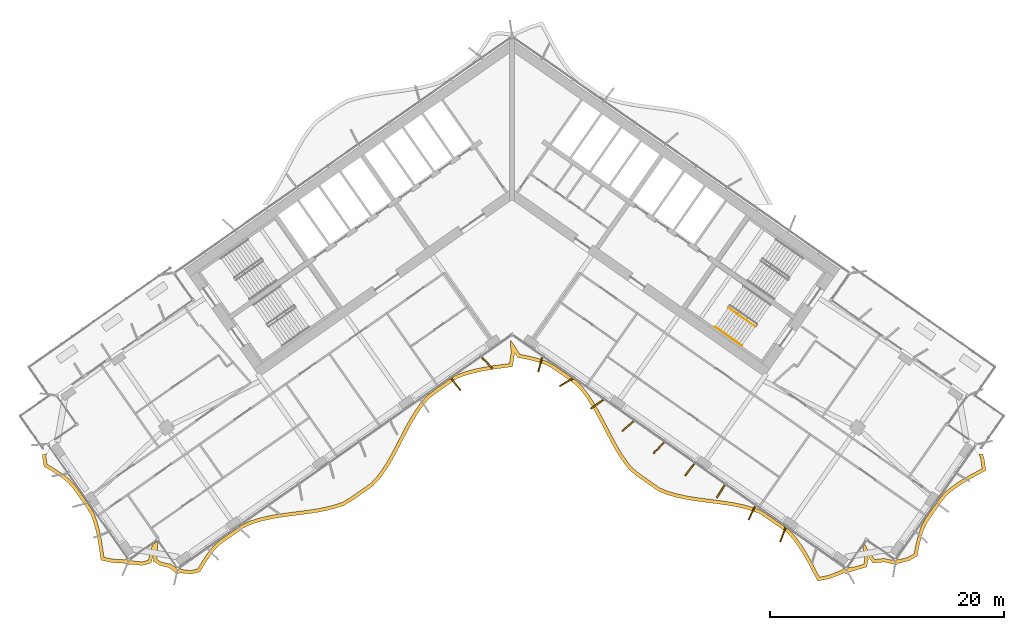
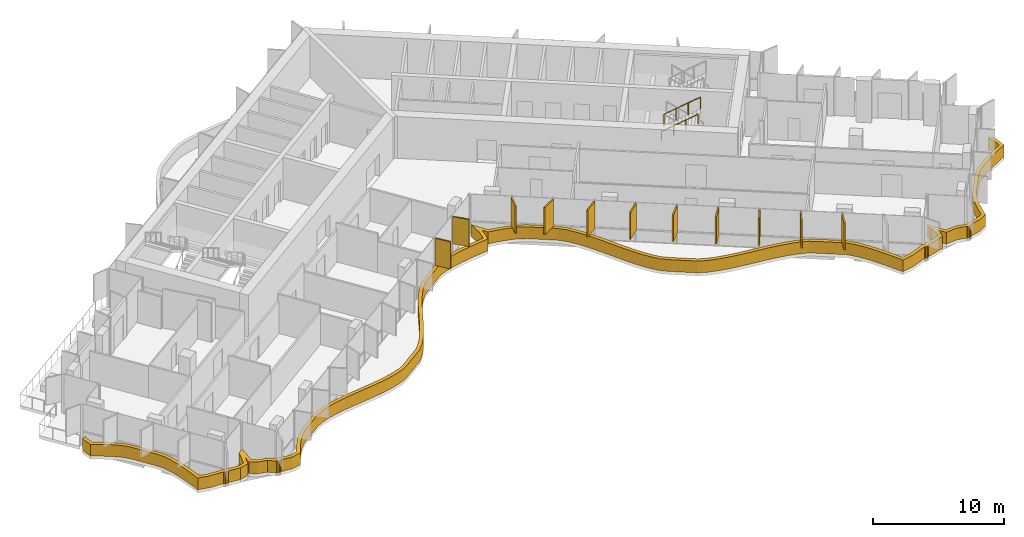
# One storey, part 20 of 24: 12 shading devices, 2 railings.
"""IFC4 building model written with IfcOpenShell, lengths in metres."""

import ifcopenshell
import ifcopenshell.guid

model = None  # the IFC model being written
_history = None  # IfcOwnerHistory: only IFC2X3 demands one
_inside = {}  # id of a spatial element -> (the spatial element, [elements in it])
_under = {}  # id of a project, library or spatial element -> (it, [spatial elements below it])
_declared = {}  # id of a project -> (the project, [libraries it declares])
_typed = {}  # id of a type object -> (the type object, [elements of that type])
_made_of = {}  # id of a material, layer set ... -> (it, [elements and type objects made of it])


def new_model(schema):
    """Start an empty IFC model of exactly this schema.

    Asked for "IFC4X3", IfcOpenShell would pick the latest addendum, in which some entities
    have other attributes; the version numbers below select the first issue.
    IFC2X3 requires an IfcOwnerHistory on every rooted entity: one is made here for all.
    """
    global model, _history
    if schema == "IFC4X3":
        model = ifcopenshell.file(schema_version=(4, 3, 0, 0))
    else:
        model = ifcopenshell.file(schema=schema)
    _inside.clear()
    _under.clear()
    _declared.clear()
    _typed.clear()
    _made_of.clear()
    _history = None
    if model.schema == "IFC2X3":
        org = make("IfcOrganization", Name="unknown")
        user = make(
            "IfcPersonAndOrganization",
            ThePerson=make("IfcPerson", FamilyName="unknown"),
            TheOrganization=org,
        )
        app = make(
            "IfcApplication",
            ApplicationDeveloper=org,
            Version="unknown",
            ApplicationFullName="unknown",
            ApplicationIdentifier="unknown",
        )
        _history = make(
            "IfcOwnerHistory",
            OwningUser=user,
            OwningApplication=app,
            ChangeAction="ADDED",
            CreationDate=0,
        )
    return model


def make(cls, **values):
    """One entity of the class cls with the attributes given. An attribute that is None is left unset."""
    return model.create_entity(
        cls, **{name: value for name, value in values.items() if value is not None}
    )


def rooted(cls, **values):
    """An entity with a GlobalId (a new one), such as an element, a storey or a relation."""
    return make(cls, GlobalId=ifcopenshell.guid.new(), OwnerHistory=_history, **values)


def si_unit(unit_type, name, prefix=None):
    """IfcSIUnit, for example si_unit("LENGTHUNIT", "METRE", prefix="MILLI")."""
    return make("IfcSIUnit", UnitType=unit_type, Prefix=prefix, Name=name)


def assignment(units):
    """IfcUnitAssignment: the units of a project."""
    return None if units is None else make("IfcUnitAssignment", Units=units)


def point(xyz):
    """IfcCartesianPoint."""
    return None if xyz is None else make("IfcCartesianPoint", Coordinates=xyz)


def direction(xyz):
    """IfcDirection."""
    return None if xyz is None else make("IfcDirection", DirectionRatios=xyz)


def frame(location, z_axis=None, x_axis=None):
    """IfcAxis2Placement3D, a coordinate frame: its origin and axes. An axis left out is left unset."""
    return make(
        "IfcAxis2Placement3D",
        Location=point(location),
        Axis=direction(z_axis),
        RefDirection=direction(x_axis),
    )


def frame_2d(location, x_axis=None):
    """IfcAxis2Placement2D, a coordinate frame in the plane: its origin and x axis."""
    return make(
        "IfcAxis2Placement2D", Location=point(location), RefDirection=direction(x_axis)
    )


def origin():
    """The frame at (0, 0, 0) with its axes left unset."""
    return frame((0.0, 0.0, 0.0))


def origin_2d():
    """The frame at (0, 0) in the plane with its x axis left unset."""
    return frame_2d((0.0, 0.0))


def place(relative_to, where):
    """IfcLocalPlacement: puts the frame where relative to a parent placement (None: the world)."""
    return make(
        "IfcLocalPlacement", PlacementRelTo=relative_to, RelativePlacement=where
    )


def context(
    kind, dimensions, precision=None, world=None, true_north=None, identifier=None
):
    """IfcGeometricRepresentationContext, for example the 3D "Model" context."""
    return make(
        "IfcGeometricRepresentationContext",
        ContextIdentifier=identifier,
        ContextType=kind,
        CoordinateSpaceDimension=dimensions,
        Precision=precision,
        WorldCoordinateSystem=world,
        TrueNorth=true_north,
    )


def subcontext(parent, identifier, kind, view, scale=None):
    """IfcGeometricRepresentationSubContext, for example "Body" below "Model"."""
    return make(
        "IfcGeometricRepresentationSubContext",
        ContextIdentifier=identifier,
        ContextType=kind,
        ParentContext=parent,
        TargetScale=scale,
        TargetView=view,
    )


def project(units=None, contexts=None):
    """IfcProject with its units and contexts."""
    return rooted(
        "IfcProject",
        Name="project",
        RepresentationContexts=contexts,
        UnitsInContext=assignment(units),
    )


def spatial(cls, under=None, at=None, **own):
    """A site, building, storey or space (cls), placed at a placement, below another one or the project."""
    s = rooted(cls, ObjectPlacement=at, **own)
    if under is not None:
        _under.setdefault(under.id(), (under, []))[1].append(s)
    return s


def polyline(points):
    """IfcPolyline through the points."""
    return make("IfcPolyline", Points=[point(p) for p in points])


def profile(cls, at=None, kind="AREA", **sizes):
    """A parametric profile (cls). Its sizes go by their IFC names, for example OverallWidth=200.0."""
    return make(cls, ProfileType=kind, Position=at, **sizes)


def rectangle(**sizes):
    """IfcRectangleProfileDef."""
    return profile("IfcRectangleProfileDef", **sizes)


def circle(**sizes):
    """IfcCircleProfileDef."""
    return profile("IfcCircleProfileDef", **sizes)


def outline(outer, holes=None, kind="AREA"):
    """IfcArbitraryClosedProfileDef: a profile drawn as a closed curve; with holes, ...WithVoids."""
    if holes is None:
        return make("IfcArbitraryClosedProfileDef", ProfileType=kind, OuterCurve=outer)
    return make(
        "IfcArbitraryProfileDefWithVoids",
        ProfileType=kind,
        OuterCurve=outer,
        InnerCurves=holes,
    )


def extrude(swept, where, along, depth):
    """IfcExtrudedAreaSolid: the profile swept, set in the frame where, extruded along a direction by depth."""
    return make(
        "IfcExtrudedAreaSolid",
        SweptArea=swept,
        Position=where,
        ExtrudedDirection=direction(along),
        Depth=depth,
    )


def shape(context_of_items, identifier, shape_type, items):
    """IfcShapeRepresentation: the items that make up one representation, for example the "Body"."""
    return make(
        "IfcShapeRepresentation",
        ContextOfItems=context_of_items,
        RepresentationIdentifier=identifier,
        RepresentationType=shape_type,
        Items=items,
    )


def material(Name=None, Category=None):
    """IfcMaterial."""
    return make("IfcMaterial", Name=Name, Category=Category)


def layer(
    of_material, thickness, ventilated=None, Name=None, Category=None, Priority=None
):
    """IfcMaterialLayer: one layer of a wall or slab, of a material (None: an air gap)."""
    return make(
        "IfcMaterialLayer",
        Material=of_material,
        LayerThickness=thickness,
        IsVentilated=ventilated,
        Name=Name,
        Category=Category,
        Priority=Priority,
    )


def layer_set(layers, Name=None):
    """IfcMaterialLayerSet."""
    return make("IfcMaterialLayerSet", MaterialLayers=layers, LayerSetName=Name)


def made_of(thing, what):
    """Note that an element or type object is made of a material, layer set ...; save() writes the relation."""
    if what is not None:
        _made_of.setdefault(what.id(), (what, []))[1].append(thing)
    return thing


def type_object(cls, material=None, **own):
    """A type object (cls), such as IfcWallType, which elements share."""
    return made_of(rooted(cls, **own), material)


def element(
    cls,
    number,
    at=None,
    inside=None,
    cuts=None,
    type_object=None,
    material=None,
    context=None,
    identifier="Body",
    shape_type=None,
    held_by="IfcProductDefinitionShape",
    body=None,
    shapes=None,
    **own,
):
    """One element of the class cls, such as IfcWall. Its Tag is "e" and its number.

    at: its placement. inside: the storey or other place that contains it. cuts: it is an
    opening in that element (IfcRelVoidsElement). A single representation is given by context,
    identifier, shape_type and body (its items); several are given by shapes. held_by: the class
    of the entity that holds the representations. save() writes the other relations.
    """
    e = rooted(cls, Tag="e%d" % number, ObjectPlacement=at, **own)
    if body is not None:
        shapes = [shape(context, identifier, shape_type, body)]
    if shapes is not None:
        e.Representation = make(held_by, Representations=shapes)
    if inside is not None:
        _inside.setdefault(inside.id(), (inside, []))[1].append(e)
    if cuts is not None:
        rooted(
            "IfcRelVoidsElement", RelatingBuildingElement=cuts, RelatedOpeningElement=e
        )
    if type_object is not None:
        _typed.setdefault(type_object.id(), (type_object, []))[1].append(e)
    return made_of(e, material)


def aggregate(whole, parts):
    """IfcRelAggregates: a whole, such as a stair, and the parts it consists of."""
    return rooted("IfcRelAggregates", RelatingObject=whole, RelatedObjects=parts)


def save(model, path):
    """Write the relations noted so far, then the file.

    IfcRelAggregates (storeys below a building ...), IfcRelContainedInSpatialStructure (elements
    in a storey), IfcRelDefinesByType, IfcRelAssociatesMaterial and IfcRelDeclares: one each for
    every whole, place, type object, material and project.
    """
    for whole, parts in _under.values():
        aggregate(whole, parts)
    for where, things in _inside.values():
        rooted(
            "IfcRelContainedInSpatialStructure",
            RelatedElements=things,
            RelatingStructure=where,
        )
    for kind, things in _typed.values():
        rooted("IfcRelDefinesByType", RelatedObjects=things, RelatingType=kind)
    for what, things in _made_of.values():
        rooted("IfcRelAssociatesMaterial", RelatedObjects=things, RelatingMaterial=what)
    for by, libraries in _declared.values():
        rooted("IfcRelDeclares", RelatingContext=by, RelatedDefinitions=libraries)
    model.write(path)


model = new_model("IFC4")

# Units and contexts
model_context = context("Model", 3, precision=1e-05, world=origin(), true_north=direction((0.0, 1.0)))
body_context = subcontext(model_context, "Body", "Model", "MODEL_VIEW")
ifc_project = project(units=[si_unit("LENGTHUNIT", "METRE"), si_unit("AREAUNIT", "SQUARE_METRE"), si_unit("VOLUMEUNIT", "CUBIC_METRE"), si_unit("PLANEANGLEUNIT", "RADIAN"), si_unit("MASSUNIT", "GRAM", prefix="KILO")], contexts=[model_context])

# Site, building, storey
site_placement = place(None, origin())
site = spatial("IfcSite", under=ifc_project, at=site_placement, CompositionType="ELEMENT")
building_placement = place(site_placement, origin())
building = spatial("IfcBuilding", under=site, at=building_placement, Name="Tel Ilan Convention Tower", CompositionType="ELEMENT")
storey_placement = place(building_placement, frame((0.0, 0.0, 132.0)))
storey = spatial("IfcBuildingStorey", under=building, at=storey_placement, Name="L29", CompositionType="ELEMENT", Elevation=132.0)

# Shading devices
ifc_material_1 = material(Name="Aluminium, bronze anodised", Category="aluminium")
ifc_layer_1 = layer(ifc_material_1, 0.1201171875)
ifc_layer_set_1 = layer_set([ifc_layer_1], Name="FIN BRONZE 1300x120")
shading_device_type_1 = type_object("IfcShadingDeviceType", Name="FIN BRONZE 1300x120", PredefinedType="USERDEFINED", material=ifc_layer_set_1)
for number, where, z_axis, x_axis, name in (
    (1, (-4.79052734375, -16.968017578125, 1.10009765625), (0.0, 0.0, 1.0), (0.612600545196, -0.790392669516, 0.0), "FIN"),
    (2, (-2.144287109375, -15.11474609375, 1.10009765625), (0.0, 0.0, 1.0), (0.686241637865, -0.727373641577, 0.0), "FIN"),
    (3, (2.40966796875, -15.27734375, 1.10009765625), (0.0, 0.0, 1.0), (-0.268172612768, -0.963370878614, 0.0), "FIN"),
    (4, (4.613037109375, -16.797607421875, 1.10009765625), (0.0, 0.0, 1.0), (-0.866025403784, -0.5, 0.0), "FIN"),
    (5, (7.2451171875, -18.663330078125, 1.10009765625), (0.0, 0.0, 1.0), (-0.813552070258, -0.581492071294, 0.0), "FIN"),
    (6, (9.882568359375, -20.525146484375, 1.10009765625), (0.0, 0.0, 1.0), (-0.753435896329, -0.657521368568, 0.0), "FIN"),
    (7, (12.524658203125, -22.383056640625, 1.10009765625), (0.0, 0.0, 1.0), (-0.686241637865, -0.727373641577, 0.0), "FIN"),
    (8, (15.1708984375, -24.236328125, 1.10009765625), (0.0, 0.0, 1.0), (-0.612600545196, -0.790392669516, 0.0), "FIN"),
    (9, (17.8173828125, -26.089599609375, 1.10009765625), (0.0, 0.0, 1.0), (-0.533204432798, -0.845986425922, 0.0), "FIN"),
    (10, (20.464111328125, -27.9423828125, 1.10009765625), (0.0, 0.0, 1.0), (-0.448799180206, -0.893632640321, 0.0), "FIN"),
    (11, (23.113525390625, -29.78955078125, 1.10009765625), (0.0, 0.0, 1.0), (-0.360177724803, -0.932883704733, 0.0), "FIN"),
):
    element("IfcShadingDevice", number, at=place(storey_placement, frame(where, z_axis=z_axis, x_axis=x_axis)), inside=storey, type_object=shading_device_type_1, Name=name, ObjectType="FIN", PredefinedType="USERDEFINED", context=body_context, shape_type="SweptSolid", body=[
        extrude(rectangle(XDim=1.300048828125, YDim=0.1201171875, at=origin_2d()), origin(), (0.0, 0.0, 1.0), 2.52001953125),
    ])
ifc_material_2 = material(Name="Aluminium, bronze anodised", Category="aluminium")
ifc_layer_2 = layer(ifc_material_2, 0.300048828125)
ifc_layer_set_2 = layer_set([ifc_layer_2], Name="LOUVRE BAND 300x1100")
shading_device_type_2 = type_object("IfcShadingDeviceType", Name="LOUVRE BAND 300x1100", PredefinedType="USERDEFINED", material=ifc_layer_set_2)
shading_device_placement = place(storey_placement, origin())
element("IfcShadingDevice", 12, at=shading_device_placement, inside=storey, type_object=shading_device_type_2, Name="LOUVRE BAND 23.02", ObjectType="LOUVRE", PredefinedType="USERDEFINED", context=body_context, shape_type="SweptSolid", body=[
    extrude(outline(polyline([(-39.7626953125, -22.886962890625), (-39.899658203125, -22.939208984375), (-40.038330078125, -22.949951171875), (-40.0625, -23.190673828125), (-39.92822265625, -23.97265625), (-39.250732421875, -24.374267578125), (-38.60546875, -24.798583984375), (-38.006591796875, -25.25537109375), (-37.49755859375, -25.77490234375), (-36.2626953125, -27.53857421875), (-35.8984375, -28.15966796875), (-35.6572265625, -28.86669921875), (-35.46484375, -29.608154296875), (-35.312744140625, -30.377685546875), (-35.189697265625, -31.167724609375), (-35.07666015625, -31.964599609375), (-34.1298828125, -32.177734375), (-32.96484375, -32.238037109375), (-32.93603515625, -32.281494140625), (-32.838623046875, -32.346435546875), (-32.723876953125, -32.369384765625), (-32.609130859375, -32.346435546875), (-32.554931640625, -32.310302734375), (-31.562744140625, -32.420166015625), (-30.788818359375, -32.2177734375), (-30.573974609375, -31.399658203125), (-30.615234375, -32.057861328125), (-30.059814453125, -32.4013671875), (-29.2880859375, -32.593505859375), (-28.79150390625, -32.97802734375), (-28.786865234375, -32.974853515625), (-28.7578125, -33.01806640625), (-28.660400390625, -33.083251953125), (-28.545654296875, -33.10595703125), (-28.430908203125, -33.083251953125), (-28.376953125, -33.047119140625), (-27.396728515625, -33.154296875), (-26.6201171875, -32.970703125), (-26.2060546875, -32.269287109375), (-25.76416015625, -31.607666015625), (-25.286865234375, -30.996826171875), (-24.7294921875, -30.500244140625), (-22.907470703125, -29.224365234375), (-22.2314453125, -28.89697265625), (-21.48779296875, -28.666259765625), (-20.7099609375, -28.484619140625), (-19.905029296875, -28.34130859375), (-19.08251953125, -28.2236328125), (-17.421875, -28.009765625), (-16.60400390625, -27.885009765625), (-15.80712890625, -27.73046875), (-15.039794921875, -27.533935546875), (-14.308837890625, -27.284912109375), (-13.6689453125, -26.906005859375), (-11.846923828125, -25.63037109375), (-11.327880859375, -25.078857421875), (-10.86279296875, -24.4501953125), (-10.43115234375, -23.7744140625), (-10.024658203125, -23.06201171875), (-9.634765625, -22.326171875), (-8.864990234375, -20.84033203125), (-8.46533203125, -20.118408203125), (-8.043212890625, -19.428466796875), (-7.59033203125, -18.782470703125), (-7.10009765625, -18.190185546875), (-6.5087890625, -17.741943359375), (-4.686767578125, -16.466064453125), (-3.97021484375, -16.19677734375), (-3.214599609375, -15.983154296875), (-2.427001953125, -15.8154296875), (-1.615234375, -15.681884765625), (0.04248046875, -15.464111328125), (0.2060546875, -14.405029296875), (0.201416015625, -14.2236328125), (0.50390625, -14.683837890625), (1.3046875, -14.8330078125), (2.077392578125, -15.02197265625), (2.814697265625, -15.26171875), (3.47216796875, -15.615478515625), (5.294189453125, -16.891357421875), (5.832763671875, -17.414794921875), (6.303955078125, -18.034423828125), (6.74072265625, -18.703369140625), (7.150634765625, -19.41064453125), (7.542724609375, -20.143310546875), (8.3115234375, -21.630615234375), (8.70849609375, -22.3564453125), (9.126220703125, -23.052490234375), (9.573486328125, -23.706298828125), (10.057373046875, -24.30810546875), (10.63232421875, -24.77978515625), (12.454345703125, -26.0556640625), (13.14990234375, -26.354736328125), (13.899658203125, -26.57666015625), (14.6826171875, -26.751220703125), (15.490966796875, -26.889404296875), (16.315673828125, -27.004150390625), (17.975341796875, -27.21923828125), (18.790283203125, -27.347900390625), (19.5830078125, -27.5087890625), (20.344970703125, -27.71337890625), (21.069091796875, -27.9716796875), (21.692626953125, -28.373779296875), (23.5146484375, -29.649658203125), (24.012939453125, -30.230712890625), (24.47216796875, -30.86767578125), (24.899169921875, -31.550537109375), (25.30224609375, -32.267578125), (26.07373046875, -33.750732421875), (27.125, -33.542236328125), (28.376953125, -33.047119140625), (28.430908203125, -33.083251953125), (28.545654296875, -33.10595703125), (28.660400390625, -33.083251953125), (28.7578125, -33.01806640625), (28.786865234375, -32.974853515625), (29.53466796875, -32.76611328125), (30.271240234375, -32.54931640625), (30.40380859375, -31.90966796875), (30.373046875, -31.6162109375), (30.788818359375, -32.2177734375), (31.767822265625, -32.126953125), (32.5517578125, -32.31494140625), (32.554931640625, -32.310302734375), (32.609130859375, -32.346435546875), (32.723876953125, -32.369384765625), (32.838623046875, -32.346435546875), (32.93603515625, -32.281494140625), (32.96484375, -32.238037109375), (33.88818359375, -32.008544921875), (34.5771484375, -31.61474609375), (34.722900390625, -30.8408203125), (34.90087890625, -30.08935546875), (35.125244140625, -29.370361328125), (35.439453125, -28.714111328125), (36.67431640625, -26.95068359375), (37.13330078125, -26.39599609375), (37.71533203125, -25.927490234375), (38.346435546875, -25.4931640625), (39.017333984375, -25.0869140625), (39.717529296875, -24.701171875), (40.427734375, -24.322265625), (40.30419921875, -23.359619140625), (40.162841796875, -22.89306640625), (40.0751953125, -22.907958984375), (39.977294921875, -22.90576171875), (39.84228515625, -22.86962890625), (40.009765625, -23.4228515625), (40.103759765625, -24.155029296875), (38.8671875, -24.8271484375), (38.18359375, -25.240966796875), (37.535888671875, -25.686767578125), (36.921630859375, -26.181396484375), (36.435302734375, -26.7685546875), (35.179443359375, -28.562255859375), (34.84521484375, -29.26025390625), (34.611328125, -30.010009765625), (34.42919921875, -30.7783203125), (34.30810546875, -31.423095703125), (33.77490234375, -31.727783203125), (33.029052734375, -31.916748046875), (32.89599609375, -31.823486328125), (32.723876953125, -32.0693359375), (32.4775390625, -31.89794921875), (32.423095703125, -31.9755859375), (31.78955078125, -31.82373046875), (30.935791015625, -31.90283203125), (30.24462890625, -30.90283203125), (30.26904296875, -30.867919921875), (30.087158203125, -30.604736328125), (29.94580078125, -30.806640625), (29.99365234375, -31.26123046875), (30.028564453125, -31.211181640625), (30.1005859375, -31.894775390625), (30.013916015625, -32.312255859375), (29.064453125, -32.58837890625), (29.100830078125, -32.536376953125), (28.853759765625, -32.606689453125), (28.74072265625, -32.527587890625), (28.545654296875, -32.805908203125), (28.2998046875, -32.634033203125), (28.1796875, -32.8056640625), (27.040283203125, -33.253173828125), (26.237060546875, -33.41259765625), (25.565673828125, -32.124267578125), (25.1572265625, -31.3974609375), (24.72119140625, -30.7001953125), (24.2490234375, -30.045166015625), (23.7177734375, -29.425537109375), (21.860107421875, -28.124755859375), (21.20263671875, -27.70068359375), (20.434326171875, -27.4267578125), (19.65185546875, -27.216552734375), (18.843505859375, -27.052734375), (18.0185546875, -26.92236328125), (16.355224609375, -26.706787109375), (15.536865234375, -26.593017578125), (14.740478515625, -26.456787109375), (13.97509765625, -26.2861328125), (13.252197265625, -26.072021484375), (12.60107421875, -25.792236328125), (10.813720703125, -24.54052734375), (10.271728515625, -24.095703125), (9.814697265625, -23.52734375), (9.37890625, -22.890380859375), (8.96875, -22.207275390625), (8.576416015625, -21.489501953125), (7.808349609375, -20.00390625), (7.412841796875, -19.2646484375), (6.996337890625, -18.546142578125), (6.54931640625, -17.861572265625), (6.05810546875, -17.215087890625), (5.48583984375, -16.659423828125), (3.629638671875, -15.359619140625), (2.93310546875, -14.98486328125), (2.159423828125, -14.733154296875), (1.36767578125, -14.53955078125), (0.684326171875, -14.412353515625), (-0.125, -13.18017578125), (-0.0947265625, -14.3857421875), (-0.219482421875, -15.19482421875), (-1.659912109375, -15.38525390625), (-2.482666015625, -15.5205078125), (-3.286865234375, -15.691650390625), (-4.06396484375, -15.911376953125), (-4.827880859375, -16.198486328125), (-6.685546875, -17.49951171875), (-7.308837890625, -17.97216796875), (-7.8291015625, -18.6005859375), (-8.294189453125, -19.263916015625), (-8.724609375, -19.96728515625), (-9.12939453125, -20.6982421875), (-9.900634765625, -22.1875), (-10.28759765625, -22.91748046875), (-10.68798828125, -23.619140625), (-11.110107421875, -24.280029296875), (-11.55859375, -24.88623046875), (-12.044189453125, -25.40234375), (-13.831787109375, -26.65380859375), (-14.43505859375, -27.010986328125), (-15.12548828125, -27.24609375), (-15.873046875, -27.437744140625), (-16.6552734375, -27.58935546875), (-17.4638671875, -27.712646484375), (-19.12255859375, -27.92626953125), (-19.95263671875, -28.045166015625), (-20.770263671875, -28.190673828125), (-21.56640625, -28.376708984375), (-22.341796875, -28.6171875), (-23.059814453125, -28.96484375), (-24.916015625, -30.264404296875), (-25.506591796875, -30.790771484375), (-26.007568359375, -31.431884765625), (-26.460205078125, -32.109619140625), (-26.8134765625, -32.708251953125), (-27.416015625, -32.8505859375), (-28.206298828125, -32.767578125), (-28.2998046875, -32.634033203125), (-28.545654296875, -32.805908203125), (-28.74072265625, -32.527587890625), (-28.78125, -32.555908203125), (-29.136474609375, -32.28076171875), (-29.309814453125, -32.237548828125), (-29.27490234375, -32.28759765625), (-29.94189453125, -32.12158203125), (-30.3046875, -31.897216796875), (-30.21240234375, -30.42578125), (-30.266357421875, -30.3486328125), (-30.685302734375, -30.641845703125), (-31.034423828125, -31.971923828125), (-31.58544921875, -32.115966796875), (-32.38427734375, -32.03125), (-32.4775390625, -31.89794921875), (-32.723876953125, -32.0693359375), (-32.89599609375, -31.823486328125), (-33.056640625, -31.93603515625), (-34.08837890625, -31.87939453125), (-34.80859375, -31.71728515625), (-35.017333984375, -30.325439453125), (-35.17236328125, -29.54150390625), (-35.36962890625, -28.780517578125), (-35.624267578125, -28.033935546875), (-36.010009765625, -27.376220703125), (-37.265869140625, -25.58251953125), (-37.807373046875, -25.02978515625), (-38.431884765625, -24.5537109375), (-39.091796875, -24.119873046875), (-39.656005859375, -23.78515625), (-39.760009765625, -23.18017578125), (-39.728271484375, -22.865234375), (-39.7626953125, -22.886962890625)])), origin(), (0.0, 0.0, 1.0), 1.10009765625),
])

# Railings
ifc_material_3 = material(Name="Stainless Steel Grade 316", Category="steel")
railing_type_1 = type_object("IfcRailingType", Name="Stainless Steel Stair Guard 1100 mm", PredefinedType="GUARDRAIL", material=ifc_material_3)
railing_1_placement = place(storey_placement, frame((18.4599609375, -10.423095703125, 2.127197265625)))
element("IfcRailing", 13, at=railing_1_placement, inside=storey, type_object=railing_type_1, Name="L29 S4 stair guard 3", PredefinedType="GUARDRAIL", context=body_context, shape_type="SweptSolid", body=[
    extrude(circle(Radius=0.02392578125, at=origin_2d()), frame((0.0, 0.0, 1.076171875), z_axis=(0.692098378994, -0.484653031975, 0.534893701956), x_axis=(0.573608623498, 0.819129505664, 0.0)), (0.0, 0.0, 1.0), 3.314208984375),
    extrude(circle(Radius=0.02099609375, at=origin_2d()), origin(), (0.0, 0.0, 1.0), 1.052001953125),
    extrude(circle(Radius=0.02099609375, at=origin_2d()), frame((0.7646484375, -0.535400390625, 0.5908203125)), (0.0, 0.0, 1.0), 1.052001953125),
    extrude(circle(Radius=0.02099609375, at=origin_2d()), frame((1.529052734375, -1.07080078125, 1.181884765625)), (0.0, 0.0, 1.0), 1.052001953125),
    extrude(circle(Radius=0.02099609375, at=origin_2d()), frame((2.293701171875, -1.606201171875, 1.772705078125)), (0.0, 0.0, 1.0), 1.052001953125),
])
ifc_material_4 = material(Name="Stainless Steel Grade 316", Category="steel")
railing_type_2 = type_object("IfcRailingType", Name="Stainless Steel Stair Handrail 900 mm", PredefinedType="HANDRAIL", material=ifc_material_4)
railing_2_placement = place(storey_placement, frame((17.312744140625, -12.0615234375, 2.127197265625)))
element("IfcRailing", 14, at=railing_2_placement, inside=storey, type_object=railing_type_2, Name="L29 S4 stair handrail 2", PredefinedType="HANDRAIL", context=body_context, shape_type="SweptSolid", body=[
    extrude(circle(Radius=0.02392578125, at=origin_2d()), frame((0.0, 0.0, 0.8759765625), z_axis=(0.692123088272, -0.484596665743, 0.534912798717), x_axis=(0.573550118428, 0.819170471667, 0.0)), (0.0, 0.0, 1.0), 3.31396484375),
    extrude(circle(Radius=0.02099609375, at=origin_2d()), origin(), (0.0, 0.0, 1.0), 0.851806640625),
    extrude(circle(Radius=0.02099609375, at=origin_2d()), frame((0.7646484375, -0.535400390625, 0.5908203125)), (0.0, 0.0, 1.0), 0.851806640625),
    extrude(circle(Radius=0.02099609375, at=origin_2d()), frame((1.529052734375, -1.070556640625, 1.181884765625)), (0.0, 0.0, 1.0), 0.851806640625),
    extrude(circle(Radius=0.02099609375, at=origin_2d()), frame((2.293701171875, -1.60595703125, 1.772705078125)), (0.0, 0.0, 1.0), 0.851806640625),
])

save(model, "model.ifc")
